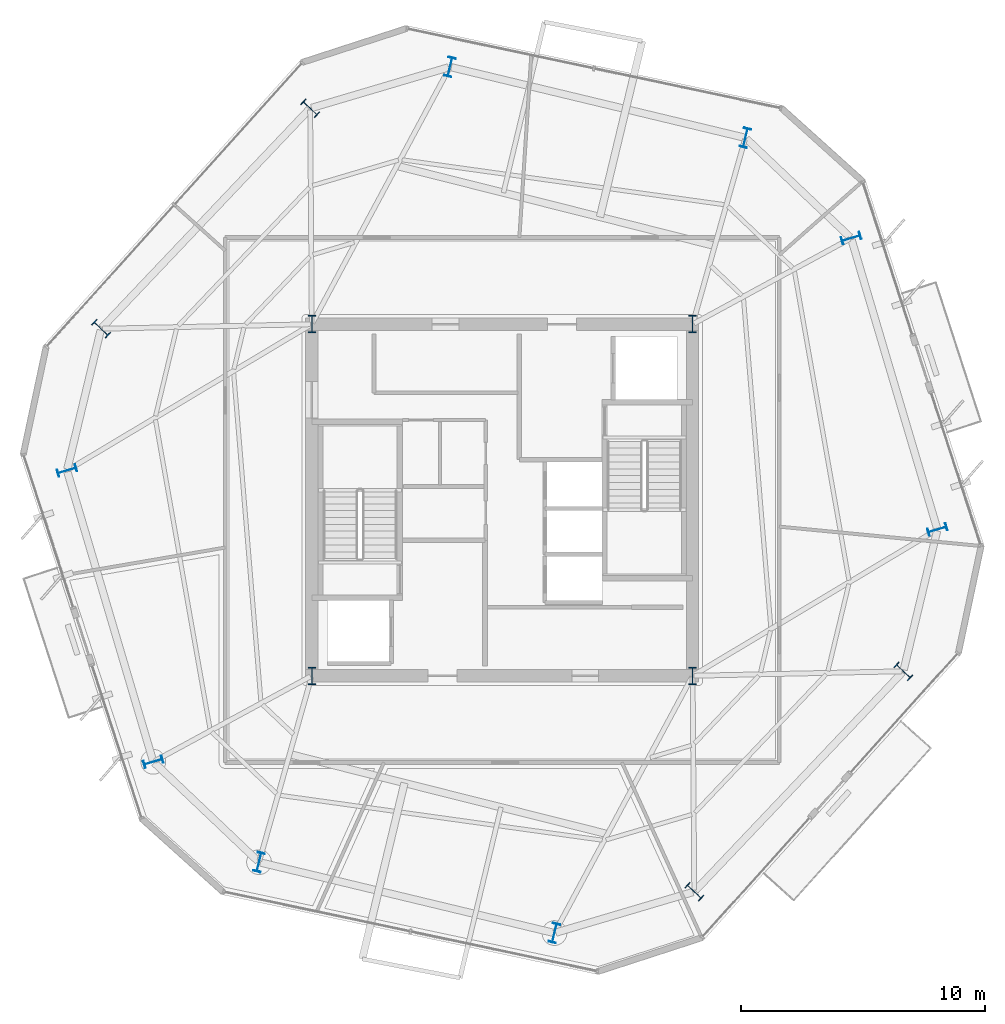
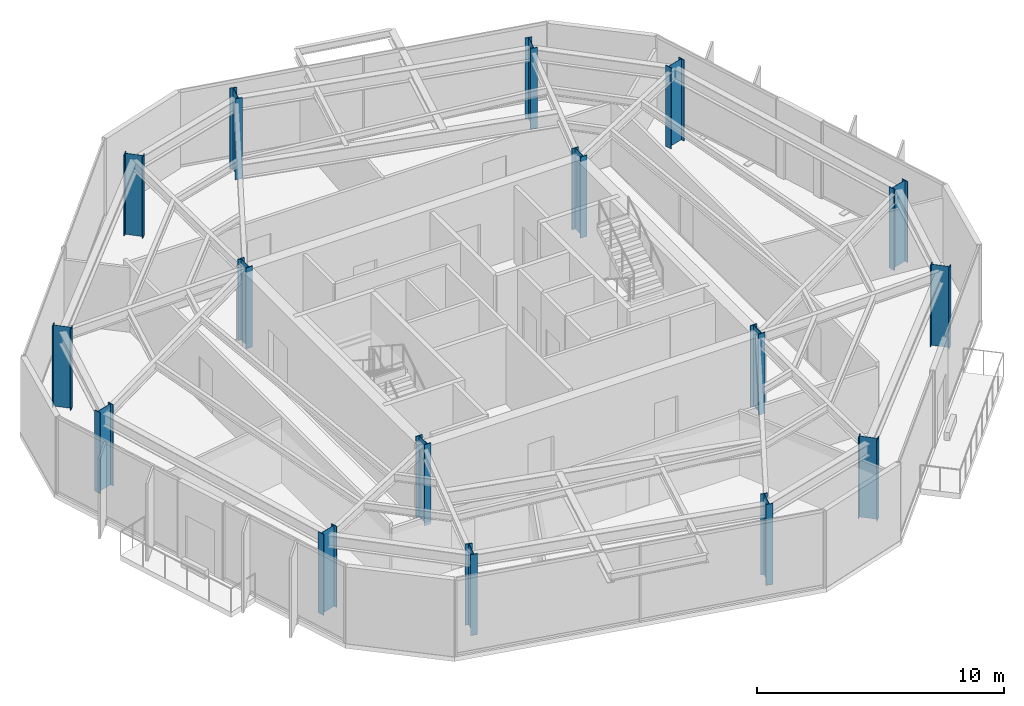
# One storey, part 1 of 11: 16 columns.
"""IFC4 building model written with IfcOpenShell, lengths in metres."""

from ifc_helpers import new_model, si_unit, direction, frame, origin, origin_2d, place, context, subcontext, project, spatial, i_section, extrude, material, material_profile, profile_set, type_object, element, save


model = new_model("IFC4")

# Units and contexts
model_context = context("Model", 3, precision=1e-05, world=origin(), true_north=direction((0.0, 1.0)))
body_context = subcontext(model_context, "Body", "Model", "MODEL_VIEW")
ifc_project = project(units=[si_unit("LENGTHUNIT", "METRE"), si_unit("AREAUNIT", "SQUARE_METRE"), si_unit("VOLUMEUNIT", "CUBIC_METRE"), si_unit("PLANEANGLEUNIT", "RADIAN"), si_unit("MASSUNIT", "GRAM", prefix="KILO")], contexts=[model_context])

# Site, building, storey
site_placement = place(None, origin())
site = spatial("IfcSite", under=ifc_project, at=site_placement, CompositionType="ELEMENT")
building_placement = place(site_placement, origin())
building = spatial("IfcBuilding", under=site, at=building_placement, Name="Kranzbogen Civic Tower", CompositionType="ELEMENT")
storey_placement = place(building_placement, frame((0.0, 0.0, 216.800048828125)))
storey = spatial("IfcBuildingStorey", under=building, at=storey_placement, Name="L52", CompositionType="ELEMENT", Elevation=216.800048828125)

# Columns
ifc_material_1 = material(Name="Steel S355", Category="steel")
ifc_material_profile_1 = material_profile(ifc_material_1, i_section(OverallWidth=0.300048828125, OverallDepth=0.800048828125, WebThickness=0.017578125, FlangeThickness=0.032958984375, at=origin_2d()), Name="HEB 800")
ifc_profile_set_1 = profile_set([ifc_material_profile_1], Name="Steel S355")
column_type_1 = type_object("IfcColumnType", Name="Structural Column HEB 800", PredefinedType="COLUMN", material=ifc_profile_set_1)
for number, where, z_axis, x_axis, name in (
    (1, (34.9609375, 39.8349609375, 0.0), (0.0, 0.0, 1.0), (-0.972369920398, 0.233445363856, 0.0), "L52 tower perimeter tube column 01"),
    (2, (22.860107421875, 42.739990234375, 0.0), (0.0, 0.0, 1.0), (-0.972369920398, 0.233445363856, 0.0), "L52 tower perimeter tube column 02"),
    (3, (17.133056640625, 41.0439453125, 0.0), (0.0, 0.0, 1.0), (0.688354575694, 0.725374371012, 0.0), "L52 tower perimeter tube column 03"),
    (4, (8.56689453125, 32.01611328125, 0.0), (0.0, 0.0, 1.0), (0.688354575694, 0.725374371012, 0.0), "L52 tower perimeter tube column 04"),
    (5, (7.172119140625, 26.208984375, 0.0), (0.0, 0.0, 1.0), (-0.284015344704, 0.958819734868, 0.0), "L52 tower perimeter tube column 05"),
    (6, (10.70703125, 14.27587890625, 0.0), (0.0, 0.0, 1.0), (-0.284015344704, 0.958819734868, 0.0), "L52 tower perimeter tube column 06"),
    (7, (15.0390625, 10.1650390625, 0.0), (0.0, 0.0, 1.0), (-0.972369920398, 0.233445363856, 0.0), "L52 tower perimeter tube column 07"),
    (8, (27.139892578125, 7.260009765625, 0.0), (0.0, 0.0, 1.0), (-0.972369920398, 0.233445363856, 0.0), "L52 tower perimeter tube column 08"),
    (9, (32.866943359375, 8.9560546875, 0.0), (0.0, 0.0, 1.0), (0.688354575694, 0.725374371012, 0.0), "L52 tower perimeter tube column 09"),
    (10, (41.43310546875, 17.98388671875, 0.0), (0.0, 0.0, 1.0), (0.688354575694, 0.725374371012, 0.0), "L52 tower perimeter tube column 10"),
    (11, (42.827880859375, 23.791015625, 0.0), (0.0, 0.0, 1.0), (-0.284015344704, 0.958819734868, 0.0), "L52 tower perimeter tube column 11"),
    (12, (39.29296875, 35.72412109375, 0.0), (0.0, 0.0, 1.0), (-0.284015344704, 0.958819734868, 0.0), "L52 tower perimeter tube column 12"),
):
    element("IfcColumn", number, at=place(storey_placement, frame(where, z_axis=z_axis, x_axis=x_axis)), inside=storey, type_object=column_type_1, Name=name, PredefinedType="COLUMN", context=body_context, shape_type="SweptSolid", body=[
        extrude(i_section(OverallWidth=0.300048828125, OverallDepth=0.800048828125, WebThickness=0.017578125, FlangeThickness=0.032958984375, at=origin_2d()), origin(), (0.0, 0.0, 1.0), 4.0),
    ])
ifc_material_2 = material(Name="Steel S460", Category="steel")
ifc_material_profile_2 = material_profile(ifc_material_2, i_section(OverallWidth=0.303955078125, OverallDepth=0.716064453125, WebThickness=0.02099609375, FlangeThickness=0.0400390625, at=origin_2d()), Name="HEM 700")
ifc_profile_set_2 = profile_set([ifc_material_profile_2], Name="Steel S460")
column_type_2 = type_object("IfcColumnType", Name="Structural Column HEM 700", PredefinedType="COLUMN", material=ifc_profile_set_2)
for number, where, z_axis, x_axis, name in (
    (13, (17.199951171875, 17.800048828125, 0.0), (0.0, 0.0, 1.0), (1.0, 0.0, 0.0), "L52 composite core corner column 1"),
    (14, (32.800048828125, 17.800048828125, 0.0), (0.0, 0.0, 1.0), (1.0, 0.0, 0.0), "L52 composite core corner column 2"),
    (15, (32.800048828125, 32.199951171875, 0.0), (0.0, 0.0, 1.0), (1.0, 0.0, 0.0), "L52 composite core corner column 3"),
    (16, (17.199951171875, 32.199951171875, 0.0), (0.0, 0.0, 1.0), (1.0, 0.0, 0.0), "L52 composite core corner column 4"),
):
    element("IfcColumn", number, at=place(storey_placement, frame(where, z_axis=z_axis, x_axis=x_axis)), inside=storey, type_object=column_type_2, Name=name, PredefinedType="COLUMN", context=body_context, shape_type="SweptSolid", body=[
        extrude(i_section(OverallWidth=0.303955078125, OverallDepth=0.716064453125, WebThickness=0.02099609375, FlangeThickness=0.0400390625, at=origin_2d()), origin(), (0.0, 0.0, 1.0), 4.0),
    ])

save(model, "model.ifc")
